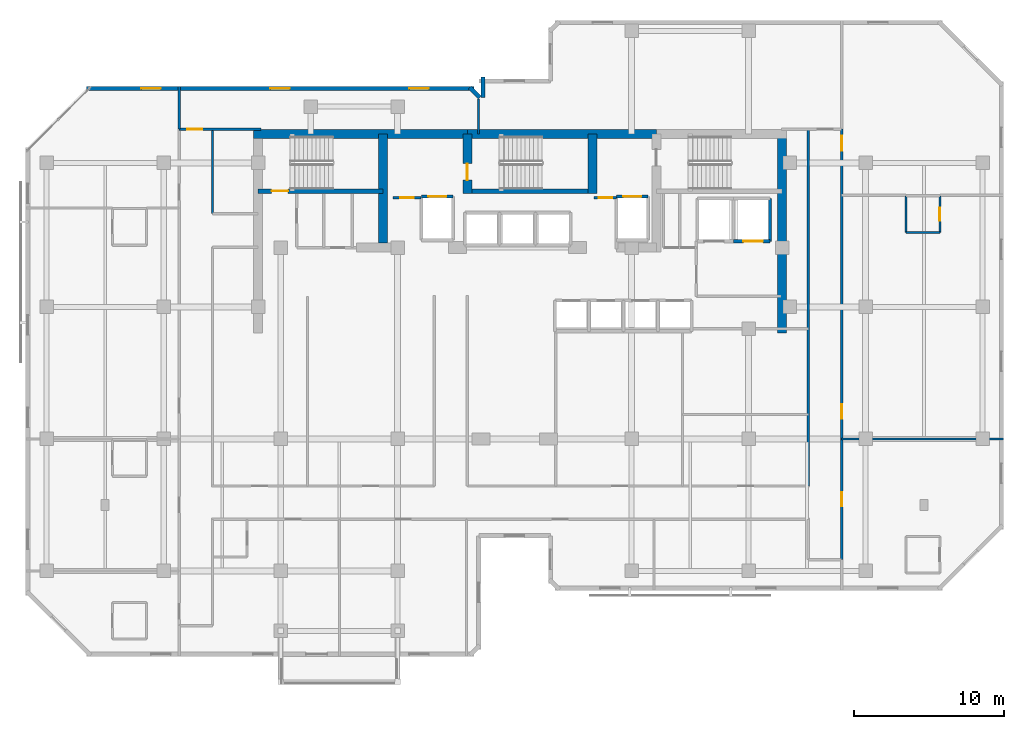
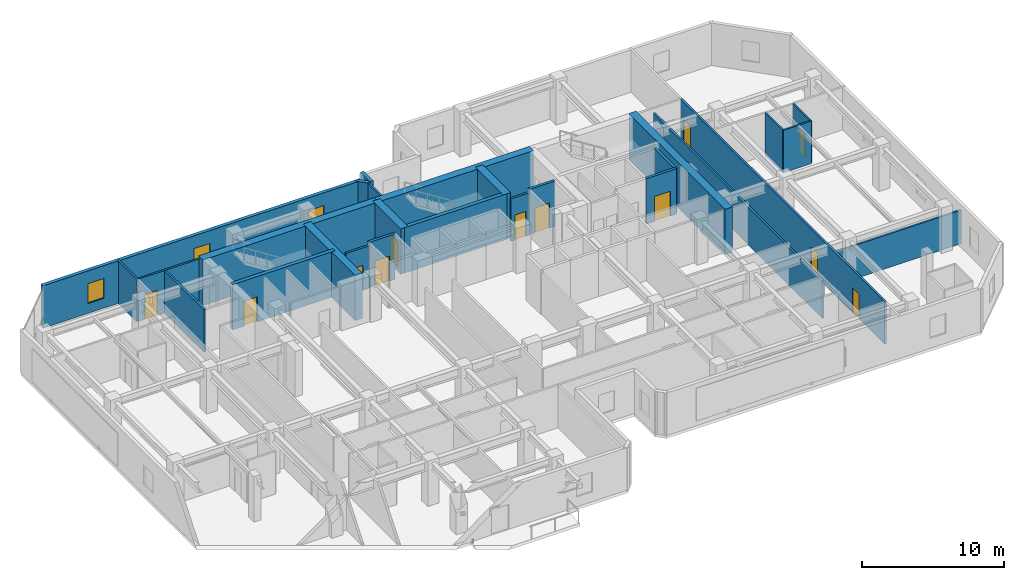
# One storey, part 7 of 11: 27 walls, 12 doors, 3 windows, 15 openings.
"""IFC4 building model written with IfcOpenShell, lengths in metres."""

from ifc_helpers import new_model, si_unit, direction, frame, frame_2d, origin, place, context, subcontext, project, spatial, rectangle, extrude, material, layer, layer_set, type_object, element, fill, save


model = new_model("IFC4")

# Units and contexts
model_context = context("Model", 3, precision=1e-05, world=origin(), true_north=direction((0.0, 1.0)))
body_context = subcontext(model_context, "Body", "Model", "MODEL_VIEW")
ifc_project = project(units=[si_unit("LENGTHUNIT", "METRE"), si_unit("AREAUNIT", "SQUARE_METRE"), si_unit("VOLUMEUNIT", "CUBIC_METRE"), si_unit("PLANEANGLEUNIT", "RADIAN"), si_unit("MASSUNIT", "GRAM", prefix="KILO")], contexts=[model_context])

# Site, building, storey
site_placement = place(None, origin())
site = spatial("IfcSite", under=ifc_project, at=site_placement, CompositionType="ELEMENT")
building_placement = place(site_placement, origin())
building = spatial("IfcBuilding", under=site, at=building_placement, Name="Kestravale Grand Hotel", CompositionType="ELEMENT")
storey_placement = place(building_placement, frame((0.0, 0.0, 204.60009765625)))
storey = spatial("IfcBuildingStorey", under=building, at=storey_placement, Name="L51", CompositionType="ELEMENT", Elevation=204.60009765625)

# Walls
ifc_material_1 = material(Name="Concrete f'c 50 MPa", Category="concrete")
ifc_layer_1 = layer(ifc_material_1, 0.60009765625)
ifc_layer_set_1 = layer_set([ifc_layer_1], Name="EW-CORE-600")
wall_type_1 = type_object("IfcWallType", Name="EW-CORE-600", PredefinedType="SHEAR", material=ifc_layer_set_1)
wall_1_placement = place(storey_placement, frame((21.60009765625, 40.320068359375, 0.0), z_axis=(0.0, 0.0, 1.0), x_axis=(1.0, 0.0, 0.0)))
element("IfcWall", 1, at=wall_1_placement, inside=storey, type_object=wall_type_1, Name="L51 core shear wall N1", PredefinedType="SHEAR", context=body_context, shape_type="SweptSolid", body=[
    extrude(rectangle(XDim=14.25, YDim=0.60009765625, at=frame_2d((7.125, 0.0))), origin(), (0.0, 0.0, 1.0), 3.89990234375),
])
wall_2_placement = place(storey_placement, frame((35.85009765625, 40.320068359375, 0.0), z_axis=(0.0, 0.0, 1.0), x_axis=(1.0, 0.0, 0.0)))
element("IfcWall", 2, at=wall_2_placement, inside=storey, type_object=wall_type_1, Name="L51 core shear wall N2", PredefinedType="SHEAR", context=body_context, shape_type="SweptSolid", body=[
    extrude(rectangle(XDim=12.599853515625, YDim=0.60009765625, at=frame_2d((6.2998046875, 0.0))), origin(), (0.0, 0.0, 1.0), 3.89990234375),
])
wall_3_placement = place(storey_placement, frame((56.820068359375, 27.050048828125, 0.0), z_axis=(0.0, 0.0, 1.0), x_axis=(0.0, 1.0, 0.0)))
element("IfcWall", 3, at=wall_3_placement, inside=storey, type_object=wall_type_1, Name="L51 core shear wall E1", PredefinedType="SHEAR", context=body_context, shape_type="SweptSolid", body=[
    extrude(rectangle(XDim=13.570068359375, YDim=0.60009765625, at=frame_2d((6.78515625, 0.0))), origin(), (0.0, 0.0, 1.0), 3.89990234375),
])
wall_4_placement = place(storey_placement, frame((30.219970703125, 33.050048828125, 0.0), z_axis=(0.0, 0.0, 1.0), x_axis=(0.0, 1.0, 0.0)))
element("IfcWall", 4, at=wall_4_placement, inside=storey, type_object=wall_type_1, Name="L51 core shear wall X1", PredefinedType="SHEAR", context=body_context, shape_type="SweptSolid", body=[
    extrude(rectangle(XDim=7.27001953125, YDim=0.60009765625, at=frame_2d((3.635009765625, 0.0))), origin(), (0.0, 0.0, 1.0), 3.89990234375),
])

# Wall, opening, door
wall_5_placement = place(storey_placement, frame((35.85009765625, 36.3701171875, 0.0), z_axis=(0.0, 0.0, 1.0), x_axis=(0.0, 1.0, 0.0)))
wall_5 = element("IfcWall", 5, at=wall_5_placement, inside=storey, type_object=wall_type_1, Name="L51 core shear wall X2", PredefinedType="SHEAR", context=body_context, shape_type="SweptSolid", body=[
    extrude(rectangle(XDim=3.949951171875, YDim=0.60009765625, at=frame_2d((1.97509765625, 0.0))), origin(), (0.0, 0.0, 1.0), 3.89990234375),
])
opening_1_placement = place(wall_5_placement, frame((0.8798828125, 0.0, 0.0)))
opening_1 = element("IfcOpeningElement", 6, at=opening_1_placement, cuts=wall_5, Name="Opening D-ST-1100", PredefinedType="OPENING", context=body_context, shape_type="SweptSolid", body=[
    extrude(rectangle(XDim=1.10009765625, YDim=2.14990234375, at=frame_2d((0.550048828125, 1.074951171875))), frame((0.0, 0.31005859375, 0.0), z_axis=(0.0, -1.0, 0.0), x_axis=(1.0, 0.0, 0.0)), (0.0, 0.0, 1.0), 0.6201171875),
])
ifc_material_2 = material(Name="Galvanised 90-minute fire-rated steel stair door", Category="steel")
door_type_1 = type_object("IfcDoorType", Name="D-ST-1100", OperationType="NOTDEFINED", PredefinedType="DOOR", material=ifc_material_2)
door_1_placement = place(opening_1_placement, origin())
door_1 = element("IfcDoor", 7, at=door_1_placement, inside=storey, type_object=door_type_1, Name="L51 Stair ST-2 FSAE fire door", OperationType="SINGLE_SWING_RIGHT", OverallHeight=2.14990234375, OverallWidth=1.10009765625, PredefinedType="DOOR", context=body_context, shape_type="SweptSolid", body=[
    extrude(rectangle(XDim=1.10009765625, YDim=2.14990234375, at=frame_2d((0.550048828125, 1.074951171875))), frame((0.0, 0.02490234375, 0.0), z_axis=(0.0, -1.0, 0.0), x_axis=(1.0, 0.0, 0.0)), (0.0, 0.0, 1.0), 0.050048828125),
])
fill(opening_1, door_1)

# Walls
wall_6_placement = place(storey_placement, frame((44.179931640625, 36.3701171875, 0.0), z_axis=(0.0, 0.0, 1.0), x_axis=(0.0, 1.0, 0.0)))
element("IfcWall", 8, at=wall_6_placement, inside=storey, type_object=wall_type_1, Name="L51 core shear wall X3", PredefinedType="SHEAR", context=body_context, shape_type="SweptSolid", body=[
    extrude(rectangle(XDim=3.949951171875, YDim=0.60009765625, at=frame_2d((1.97509765625, 0.0))), origin(), (0.0, 0.0, 1.0), 3.89990234375),
])
ifc_material_3 = material(Name="Precast concrete f'c 45 MPa", Category="concrete")
ifc_layer_2 = layer(ifc_material_3, 0.280029296875)
ifc_layer_set_2 = layer_set([ifc_layer_2], Name="EW-PREC-280")
wall_type_2 = type_object("IfcWallType", Name="EW-PREC-280", PredefinedType="SOLIDWALL", material=ifc_layer_set_2)
wall_7_placement = place(storey_placement, frame((36.889892578125, 44.139892578125, 0.0), z_axis=(0.0, 0.0, 1.0), x_axis=(0.0, -1.0, 0.0)))
element("IfcWall", 9, at=wall_7_placement, inside=storey, type_object=wall_type_2, Name="L51 fluted precast facade wall 15", PredefinedType="SOLIDWALL", context=body_context, shape_type="SweptSolid", body=[
    extrude(rectangle(XDim=1.3798828125, YDim=0.280029296875, at=frame_2d((0.68994140625, 0.0))), origin(), (0.0, 0.0, 1.0), 3.64990234375),
])
wall_8_placement = place(storey_placement, frame((36.67919921875, 42.772705078125, 0.0), z_axis=(0.0, 0.0, 1.0), x_axis=(-0.707106781187, 0.707106781187, 0.0)))
element("IfcWall", 10, at=wall_8_placement, inside=storey, type_object=wall_type_2, Name="L51 fluted precast facade wall 16", PredefinedType="SOLIDWALL", context=body_context, shape_type="SweptSolid", body=[
    extrude(rectangle(XDim=0.928466796875, YDim=0.280029296875, at=frame_2d((0.46435546875, 0.0))), origin(), (0.0, 0.0, 1.0), 3.64990234375),
])

# Wall, openings, windows
wall_9_placement = place(storey_placement, frame((36.2900390625, 43.360107421875, 0.0), z_axis=(0.0, 0.0, 1.0), x_axis=(-1.0, 0.0, 0.0)))
wall_9 = element("IfcWall", 11, at=wall_9_placement, inside=storey, type_object=wall_type_2, Name="L51 fluted precast facade wall 17", PredefinedType="SOLIDWALL", context=body_context, shape_type="SweptSolid", body=[
    extrude(rectangle(XDim=25.830078125, YDim=0.280029296875, at=frame_2d((12.9150390625, 0.0))), origin(), (0.0, 0.0, 1.0), 3.64990234375),
])
opening_2_placement = place(wall_9_placement, frame((3.0048828125, 0.0, 0.85009765625)))
opening_2 = element("IfcOpeningElement", 12, at=opening_2_placement, cuts=wall_9, Name="Opening W-GUEST-1300", PredefinedType="OPENING", context=body_context, shape_type="SweptSolid", body=[
    extrude(rectangle(XDim=1.300048828125, YDim=1.699951171875, at=frame_2d((0.64990234375, 0.85009765625))), frame((0.0, 0.14990234375, 0.0), z_axis=(0.0, -1.0, 0.0), x_axis=(1.0, 0.0, 0.0)), (0.0, 0.0, 1.0), 0.300048828125),
])
opening_3_placement = place(wall_9_placement, frame((12.264892578125, 0.0, 0.85009765625)))
opening_3 = element("IfcOpeningElement", 13, at=opening_3_placement, cuts=wall_9, Name="Opening W-GUEST-1300", PredefinedType="OPENING", context=body_context, shape_type="SweptSolid", body=[
    extrude(rectangle(XDim=1.300048828125, YDim=1.699951171875, at=frame_2d((0.64990234375, 0.85009765625))), frame((0.0, 0.14990234375, 0.0), z_axis=(0.0, -1.0, 0.0), x_axis=(1.0, 0.0, 0.0)), (0.0, 0.0, 1.0), 0.300048828125),
])
opening_4_placement = place(wall_9_placement, frame((20.875, 0.0, 0.85009765625)))
opening_4 = element("IfcOpeningElement", 14, at=opening_4_placement, cuts=wall_9, Name="Opening W-GUEST-1300", PredefinedType="OPENING", context=body_context, shape_type="SweptSolid", body=[
    extrude(rectangle(XDim=1.300048828125, YDim=1.699951171875, at=frame_2d((0.64990234375, 0.85009765625))), frame((0.0, 0.14990234375, 0.0), z_axis=(0.0, -1.0, 0.0), x_axis=(1.0, 0.0, 0.0)), (0.0, 0.0, 1.0), 0.300048828125),
])
ifc_material_4 = material(Name="Insulated low-E double glazing in aluminium frame", Category="aluminium")
window_type = type_object("IfcWindowType", Name="W-GUEST-1300", PartitioningType="SINGLE_PANEL", PredefinedType="WINDOW", material=ifc_material_4)
window_1_placement = place(opening_2_placement, origin())
window_1 = element("IfcWindow", 15, at=window_1_placement, inside=storey, type_object=window_type, Name="L51 exterior window 17.1", OverallHeight=1.699951171875, OverallWidth=1.300048828125, PartitioningType="SINGLE_PANEL", PredefinedType="WINDOW", context=body_context, shape_type="SweptSolid", body=[
    extrude(rectangle(XDim=1.300048828125, YDim=1.699951171875, at=frame_2d((0.64990234375, 0.85009765625))), frame((0.0, 0.030029296875, 0.0), z_axis=(0.0, -1.0, 0.0), x_axis=(1.0, 0.0, 0.0)), (0.0, 0.0, 1.0), 0.06005859375),
])
fill(opening_2, window_1)
window_2_placement = place(opening_3_placement, origin())
window_2 = element("IfcWindow", 16, at=window_2_placement, inside=storey, type_object=window_type, Name="L51 exterior window 17.2", OverallHeight=1.699951171875, OverallWidth=1.300048828125, PartitioningType="SINGLE_PANEL", PredefinedType="WINDOW", context=body_context, shape_type="SweptSolid", body=[
    extrude(rectangle(XDim=1.300048828125, YDim=1.699951171875, at=frame_2d((0.64990234375, 0.85009765625))), frame((0.0, 0.030029296875, 0.0), z_axis=(0.0, -1.0, 0.0), x_axis=(1.0, 0.0, 0.0)), (0.0, 0.0, 1.0), 0.06005859375),
])
fill(opening_3, window_2)
window_3_placement = place(opening_4_placement, origin())
window_3 = element("IfcWindow", 17, at=window_3_placement, inside=storey, type_object=window_type, Name="L51 exterior window 17.3", OverallHeight=1.699951171875, OverallWidth=1.300048828125, PartitioningType="SINGLE_PANEL", PredefinedType="WINDOW", context=body_context, shape_type="SweptSolid", body=[
    extrude(rectangle(XDim=1.300048828125, YDim=1.699951171875, at=frame_2d((0.64990234375, 0.85009765625))), frame((0.0, 0.030029296875, 0.0), z_axis=(0.0, -1.0, 0.0), x_axis=(1.0, 0.0, 0.0)), (0.0, 0.0, 1.0), 0.06005859375),
])
fill(opening_4, window_3)

# Wall, opening, door
ifc_material_5 = material(Name="Concrete f'c 45 MPa", Category="concrete")
ifc_layer_3 = layer(ifc_material_5, 0.300048828125)
ifc_layer_set_3 = layer_set([ifc_layer_3], Name="EW-STAIR-300")
wall_type_3 = type_object("IfcWallType", Name="EW-STAIR-300", PredefinedType="SHEAR", material=ifc_layer_set_3)
wall_10_placement = place(storey_placement, frame((21.89990234375, 36.52001953125, 0.0), z_axis=(0.0, 0.0, 1.0), x_axis=(1.0, 0.0, 0.0)))
wall_10 = element("IfcWall", 18, at=wall_10_placement, inside=storey, type_object=wall_type_3, Name="L51 stair enclosure shear wall SST1", PredefinedType="SHEAR", context=body_context, shape_type="SweptSolid", body=[
    extrude(rectangle(XDim=8.320068359375, YDim=0.300048828125, at=frame_2d((4.16015625, 0.0))), origin(), (0.0, 0.0, 1.0), 3.89990234375),
])
opening_5_placement = place(wall_10_placement, frame((0.89990234375, 0.0, 0.0)))
opening_5 = element("IfcOpeningElement", 19, at=opening_5_placement, cuts=wall_10, Name="Opening D-ST-1100", PredefinedType="OPENING", context=body_context, shape_type="SweptSolid", body=[
    extrude(rectangle(XDim=1.10009765625, YDim=2.14990234375, at=frame_2d((0.550048828125, 1.074951171875))), frame((0.0, 0.159912109375, 0.0), z_axis=(0.0, -1.0, 0.0), x_axis=(1.0, 0.0, 0.0)), (0.0, 0.0, 1.0), 0.320068359375),
])
door_2_placement = place(opening_5_placement, origin())
door_2 = element("IfcDoor", 20, at=door_2_placement, inside=storey, type_object=door_type_1, Name="L51 Stair ST-1 fire door", OperationType="SINGLE_SWING_RIGHT", OverallHeight=2.14990234375, OverallWidth=1.10009765625, PredefinedType="DOOR", context=body_context, shape_type="SweptSolid", body=[
    extrude(rectangle(XDim=1.10009765625, YDim=2.14990234375, at=frame_2d((0.550048828125, 1.074951171875))), frame((0.0, 0.02490234375, 0.0), z_axis=(0.0, -1.0, 0.0), x_axis=(1.0, 0.0, 0.0)), (0.0, 0.0, 1.0), 0.050048828125),
])
fill(opening_5, door_2)

# Walls
wall_11_placement = place(storey_placement, frame((35.85009765625, 36.52001953125, 0.0), z_axis=(0.0, 0.0, 1.0), x_axis=(1.0, 0.0, 0.0)))
element("IfcWall", 21, at=wall_11_placement, inside=storey, type_object=wall_type_3, Name="L51 stair enclosure shear wall SST2", PredefinedType="SHEAR", context=body_context, shape_type="SweptSolid", body=[
    extrude(rectangle(XDim=8.329833984375, YDim=0.300048828125, at=frame_2d((4.1650390625, 0.0))), origin(), (0.0, 0.0, 1.0), 3.89990234375),
])
ifc_material_6 = material(Name="Acoustic fire-rated gypsum board partition", Category="other")
ifc_layer_4 = layer(ifc_material_6, 0.159912109375)
ifc_layer_set_4 = layer_set([ifc_layer_4], Name="IW-CORR-160")
wall_type_4 = type_object("IfcWallType", Name="IW-CORR-160", PredefinedType="PARTITIONING", material=ifc_layer_set_4)
wall_12_placement = place(storey_placement, frame((18.860107421875, 35.02001953125, 0.0), z_axis=(0.0, 0.0, 1.0), x_axis=(0.0, 1.0, 0.0)))
element("IfcWall", 22, at=wall_12_placement, inside=storey, type_object=wall_type_4, Name="W-L51-SW-EN", PredefinedType="PARTITIONING", context=body_context, shape_type="SweptSolid", body=[
    extrude(rectangle(XDim=5.6298828125, YDim=0.159912109375, at=frame_2d((2.81494140625, 0.0))), origin(), (0.0, 0.0, 1.0), 3.64990234375),
])

# Wall, openings, doors
wall_13_placement = place(storey_placement, frame((60.81005859375, 11.949951171875, 0.0), z_axis=(0.0, 0.0, 1.0), x_axis=(0.0, 1.0, 0.0)))
wall_13 = element("IfcWall", 23, at=wall_13_placement, inside=storey, type_object=wall_type_4, Name="W-L51-SE-E", PredefinedType="PARTITIONING", context=body_context, shape_type="SweptSolid", body=[
    extrude(rectangle(XDim=28.699951171875, YDim=0.159912109375, at=frame_2d((14.35009765625, 0.0))), origin(), (0.0, 0.0, 1.0), 3.64990234375),
])
opening_6_placement = place(wall_13_placement, frame((3.550048828125, 0.0, 0.0)))
opening_6 = element("IfcOpeningElement", 24, at=opening_6_placement, cuts=wall_13, Name="Opening D-GUEST-950", PredefinedType="OPENING", context=body_context, shape_type="SweptSolid", body=[
    extrude(rectangle(XDim=0.949951171875, YDim=2.10009765625, at=frame_2d((0.47509765625, 1.050048828125))), frame((0.0, 0.08984375, 0.0), z_axis=(0.0, -1.0, 0.0), x_axis=(1.0, 0.0, 0.0)), (0.0, 0.0, 1.0), 0.179931640625),
])
opening_7_placement = place(wall_13_placement, frame((9.40869140625, 0.0, 0.0)))
opening_7 = element("IfcOpeningElement", 25, at=opening_7_placement, cuts=wall_13, Name="Opening D-GUEST-950", PredefinedType="OPENING", context=body_context, shape_type="SweptSolid", body=[
    extrude(rectangle(XDim=0.949951171875, YDim=2.10009765625, at=frame_2d((0.47509765625, 1.050048828125))), frame((0.0, 0.08984375, 0.0), z_axis=(0.0, -1.0, 0.0), x_axis=(1.0, 0.0, 0.0)), (0.0, 0.0, 1.0), 0.179931640625),
])
opening_8_placement = place(wall_13_placement, frame((27.260009765625, 0.0, 0.0)))
opening_8 = element("IfcOpeningElement", 26, at=opening_8_placement, cuts=wall_13, Name="Opening D-GUEST-1000", PredefinedType="OPENING", context=body_context, shape_type="SweptSolid", body=[
    extrude(rectangle(XDim=1.0, YDim=2.14990234375, at=frame_2d((0.5, 1.074951171875))), frame((0.0, 0.08984375, 0.0), z_axis=(0.0, -1.0, 0.0), x_axis=(1.0, 0.0, 0.0)), (0.0, 0.0, 1.0), 0.179931640625),
])
ifc_material_7 = material(Name="Accessible walnut veneer hotel entrance fire door", Category="wood")
door_type_2 = type_object("IfcDoorType", Name="D-GUEST-1000", OperationType="NOTDEFINED", PredefinedType="DOOR", material=ifc_material_7)
door_3_placement = place(opening_8_placement, origin())
door_3 = element("IfcDoor", 27, at=door_3_placement, inside=storey, type_object=door_type_2, Name="D-L51-AMEW", OperationType="SINGLE_SWING_RIGHT", OverallHeight=2.14990234375, OverallWidth=1.0, PredefinedType="DOOR", context=body_context, shape_type="SweptSolid", body=[
    extrude(rectangle(XDim=1.0, YDim=2.14990234375, at=frame_2d((0.5, 1.074951171875))), frame((0.0, 0.02490234375, 0.0), z_axis=(0.0, -1.0, 0.0), x_axis=(1.0, 0.0, 0.0)), (0.0, 0.0, 1.0), 0.050048828125),
])
fill(opening_8, door_3)
ifc_material_8 = material(Name="Walnut veneer hotel guestroom entrance fire door", Category="wood")
door_type_3 = type_object("IfcDoorType", Name="D-GUEST-950", OperationType="NOTDEFINED", PredefinedType="DOOR", material=ifc_material_8)
door_4_placement = place(opening_6_placement, origin())
door_4 = element("IfcDoor", 28, at=door_4_placement, inside=storey, type_object=door_type_3, Name="D-L51-U05-ENT", OperationType="SINGLE_SWING_LEFT", OverallHeight=2.10009765625, OverallWidth=0.949951171875, PredefinedType="DOOR", context=body_context, shape_type="SweptSolid", body=[
    extrude(rectangle(XDim=0.949951171875, YDim=2.10009765625, at=frame_2d((0.47509765625, 1.050048828125))), frame((0.0, 0.02490234375, 0.0), z_axis=(0.0, -1.0, 0.0), x_axis=(1.0, 0.0, 0.0)), (0.0, 0.0, 1.0), 0.050048828125),
])
fill(opening_6, door_4)
door_5_placement = place(opening_7_placement, origin())
door_5 = element("IfcDoor", 29, at=door_5_placement, inside=storey, type_object=door_type_3, Name="D-L51-U06-ENT", OperationType="SINGLE_SWING_LEFT", OverallHeight=2.10009765625, OverallWidth=0.949951171875, PredefinedType="DOOR", context=body_context, shape_type="SweptSolid", body=[
    extrude(rectangle(XDim=0.949951171875, YDim=2.10009765625, at=frame_2d((0.47509765625, 1.050048828125))), frame((0.0, 0.02490234375, 0.0), z_axis=(0.0, -1.0, 0.0), x_axis=(1.0, 0.0, 0.0)), (0.0, 0.0, 1.0), 0.050048828125),
])
fill(opening_7, door_5)

# Wall
wall_14_placement = place(storey_placement, frame((58.590087890625, 16.860107421875, 0.0), z_axis=(0.0, 0.0, 1.0), x_axis=(0.0, 1.0, 0.0)))
element("IfcWall", 30, at=wall_14_placement, inside=storey, type_object=wall_type_4, Name="W-L51-SE-WU", PredefinedType="PARTITIONING", context=body_context, shape_type="SweptSolid", body=[
    extrude(rectangle(XDim=23.789794921875, YDim=0.159912109375, at=frame_2d((11.89501953125, 0.0))), origin(), (0.0, 0.0, 1.0), 3.245849609375),
])

# Wall, opening, door
ifc_material_9 = material(Name="Fire-rated gypsum board on steel studs with mineral wool", Category="steel")
ifc_layer_5 = layer(ifc_material_9, 0.179931640625)
ifc_layer_set_5 = layer_set([ifc_layer_5], Name="IW-FSAE-180")
wall_type_5 = type_object("IfcWallType", Name="IW-FSAE-180", PredefinedType="PARTITIONING", material=ifc_layer_set_5)
wall_15_placement = place(storey_placement, frame((30.89990234375, 36.080078125, 0.0), z_axis=(0.0, 0.0, 1.0), x_axis=(1.0, 0.0, 0.0)))
wall_15 = element("IfcWall", 31, at=wall_15_placement, inside=storey, type_object=wall_type_5, Name="L51 FSAE Lobby 1 smoke barrier", PredefinedType="PARTITIONING", context=body_context, shape_type="SweptSolid", body=[
    extrude(rectangle(XDim=1.85009765625, YDim=0.179931640625, at=frame_2d((0.925048828125, 0.0))), origin(), (0.0, 0.0, 1.0), 3.64990234375),
])
opening_9_placement = place(wall_15_placement, frame((0.47998046875, 0.0, 0.0)))
opening_9 = element("IfcOpeningElement", 32, at=opening_9_placement, cuts=wall_15, Name="Opening D-FSAE-1000", PredefinedType="OPENING", context=body_context, shape_type="SweptSolid", body=[
    extrude(rectangle(XDim=0.89990234375, YDim=2.14990234375, at=frame_2d((0.449951171875, 1.074951171875))), frame((0.0, 0.099853515625, 0.0), z_axis=(0.0, -1.0, 0.0), x_axis=(1.0, 0.0, 0.0)), (0.0, 0.0, 1.0), 0.199951171875),
])
ifc_material_10 = material(Name="Smoke-gasketed FSAE lobby fire door", Category="steel")
door_type_4 = type_object("IfcDoorType", Name="D-FSAE-1000", OperationType="NOTDEFINED", PredefinedType="DOOR", material=ifc_material_10)
door_6_placement = place(opening_9_placement, origin())
door_6 = element("IfcDoor", 33, at=door_6_placement, inside=storey, type_object=door_type_4, Name="L51 FSAE Lobby 1 fire door", OperationType="SINGLE_SWING_RIGHT", OverallHeight=2.14990234375, OverallWidth=0.89990234375, PredefinedType="DOOR", context=body_context, shape_type="SweptSolid", body=[
    extrude(rectangle(XDim=0.89990234375, YDim=2.14990234375, at=frame_2d((0.449951171875, 1.074951171875))), frame((0.0, 0.02490234375, 0.0), z_axis=(0.0, -1.0, 0.0), x_axis=(1.0, 0.0, 0.0)), (0.0, 0.0, 1.0), 0.050048828125),
])
fill(opening_9, door_6)

wall_16_placement = place(storey_placement, frame((44.300048828125, 36.080078125, 0.0), z_axis=(0.0, 0.0, 1.0), x_axis=(1.0, 0.0, 0.0)))
wall_16 = element("IfcWall", 34, at=wall_16_placement, inside=storey, type_object=wall_type_5, Name="L51 FSAE Lobby 2 smoke barrier", PredefinedType="PARTITIONING", context=body_context, shape_type="SweptSolid", body=[
    extrude(rectangle(XDim=1.5, YDim=0.179931640625, at=frame_2d((0.75, 0.0))), origin(), (0.0, 0.0, 1.0), 3.64990234375),
])
opening_10_placement = place(wall_16_placement, frame((0.300048828125, 0.0, 0.0)))
opening_10 = element("IfcOpeningElement", 35, at=opening_10_placement, cuts=wall_16, Name="Opening D-FSAE-1000", PredefinedType="OPENING", context=body_context, shape_type="SweptSolid", body=[
    extrude(rectangle(XDim=0.89990234375, YDim=2.14990234375, at=frame_2d((0.449951171875, 1.074951171875))), frame((0.0, 0.099853515625, 0.0), z_axis=(0.0, -1.0, 0.0), x_axis=(1.0, 0.0, 0.0)), (0.0, 0.0, 1.0), 0.199951171875),
])
door_7_placement = place(opening_10_placement, origin())
door_7 = element("IfcDoor", 36, at=door_7_placement, inside=storey, type_object=door_type_4, Name="L51 FSAE Lobby 2 fire door", OperationType="SINGLE_SWING_LEFT", OverallHeight=2.14990234375, OverallWidth=0.89990234375, PredefinedType="DOOR", context=body_context, shape_type="SweptSolid", body=[
    extrude(rectangle(XDim=0.89990234375, YDim=2.14990234375, at=frame_2d((0.449951171875, 1.074951171875))), frame((0.0, 0.02490234375, 0.0), z_axis=(0.0, -1.0, 0.0), x_axis=(1.0, 0.0, 0.0)), (0.0, 0.0, 1.0), 0.050048828125),
])
fill(opening_10, door_7)

# Wall
ifc_material_11 = material(Name="Moisture-resistant tile-backer plumbing chase wall", Category="other")
ifc_layer_6 = layer(ifc_material_11, 0.139892578125)
ifc_layer_set_6 = layer_set([ifc_layer_6], Name="IW-PLB-140")
wall_type_6 = type_object("IfcWallType", Name="IW-PLB-140", PredefinedType="PLUMBINGWALL", material=ifc_layer_set_6)
wall_17_placement = place(storey_placement, frame((65.10009765625, 33.760009765625, 0.0), z_axis=(0.0, 0.0, 1.0), x_axis=(0.0, 1.0, 0.0)))
element("IfcWall", 37, at=wall_17_placement, inside=storey, type_object=wall_type_6, Name="W-L51-U06-BW", PredefinedType="PLUMBINGWALL", context=body_context, shape_type="SweptSolid", body=[
    extrude(rectangle(XDim=2.449951171875, YDim=0.139892578125, at=frame_2d((1.22509765625, 0.0))), origin(), (0.0, 0.0, 1.0), 3.64990234375),
])

# Wall, opening, door
wall_18_placement = place(storey_placement, frame((67.35009765625, 33.760009765625, 0.0), z_axis=(0.0, 0.0, 1.0), x_axis=(0.0, 1.0, 0.0)))
wall_18 = element("IfcWall", 38, at=wall_18_placement, inside=storey, type_object=wall_type_6, Name="W-L51-U06-BE", PredefinedType="PLUMBINGWALL", context=body_context, shape_type="SweptSolid", body=[
    extrude(rectangle(XDim=2.449951171875, YDim=0.139892578125, at=frame_2d((1.22509765625, 0.0))), origin(), (0.0, 0.0, 1.0), 3.64990234375),
])
opening_11_placement = place(wall_18_placement, frame((0.784912109375, 0.0, 0.0)))
opening_11 = element("IfcOpeningElement", 39, at=opening_11_placement, cuts=wall_18, Name="Opening D-BATH-880", PredefinedType="OPENING", context=body_context, shape_type="SweptSolid", body=[
    extrude(rectangle(XDim=0.8798828125, YDim=2.050048828125, at=frame_2d((0.43994140625, 1.02490234375))), frame((0.0, 0.079833984375, 0.0), z_axis=(0.0, -1.0, 0.0), x_axis=(1.0, 0.0, 0.0)), (0.0, 0.0, 1.0), 0.159912109375),
])
ifc_material_12 = material(Name="Moisture-sealed walnut en-suite bathroom door", Category="wood")
door_type_5 = type_object("IfcDoorType", Name="D-BATH-880", OperationType="NOTDEFINED", PredefinedType="DOOR", material=ifc_material_12)
door_8_placement = place(opening_11_placement, origin())
door_8 = element("IfcDoor", 40, at=door_8_placement, inside=storey, type_object=door_type_5, Name="D-L51-U06-BATH", OperationType="SINGLE_SWING_RIGHT", OverallHeight=2.050048828125, OverallWidth=0.8798828125, PredefinedType="DOOR", context=body_context, shape_type="SweptSolid", body=[
    extrude(rectangle(XDim=0.8798828125, YDim=2.050048828125, at=frame_2d((0.43994140625, 1.02490234375))), frame((0.0, 0.02490234375, 0.0), z_axis=(0.0, -1.0, 0.0), x_axis=(1.0, 0.0, 0.0)), (0.0, 0.0, 1.0), 0.050048828125),
])
fill(opening_11, door_8)

# Walls
wall_19_placement = place(storey_placement, frame((65.10009765625, 33.760009765625, 0.0), z_axis=(0.0, 0.0, 1.0), x_axis=(1.0, 0.0, 0.0)))
element("IfcWall", 41, at=wall_19_placement, inside=storey, type_object=wall_type_6, Name="W-L51-U06-BS", PredefinedType="PLUMBINGWALL", context=body_context, shape_type="SweptSolid", body=[
    extrude(rectangle(XDim=2.25, YDim=0.139892578125, at=frame_2d((1.125, 0.0))), origin(), (0.0, 0.0, 1.0), 3.64990234375),
])
ifc_material_13 = material(Name="Concrete f'c 45 MPa", Category="concrete")
ifc_layer_7 = layer(ifc_material_13, 0.199951171875)
ifc_layer_set_7 = layer_set([ifc_layer_7], Name="IW-SHAFT-200")
wall_type_7 = type_object("IfcWallType", Name="IW-SHAFT-200", PredefinedType="SHEAR", material=ifc_layer_set_7)
wall_20_placement = place(storey_placement, frame((56.02001953125, 33.169921875, 0.0), z_axis=(0.0, 0.0, 1.0), x_axis=(0.0, 1.0, 0.0)))
element("IfcWall", 42, at=wall_20_placement, inside=storey, type_object=wall_type_7, Name="L51 SL-2 east shaft wall", PredefinedType="SHEAR", context=body_context, shape_type="SweptSolid", body=[
    extrude(rectangle(XDim=2.860107421875, YDim=0.199951171875, at=frame_2d((1.43017578125, 0.0))), origin(), (0.0, 0.0, 1.0), 3.89990234375),
])

# Wall, opening, door
ifc_material_14 = material(Name="Concrete f'c 45 MPa", Category="concrete")
ifc_layer_8 = layer(ifc_material_14, 0.219970703125)
ifc_layer_set_8 = layer_set([ifc_layer_8], Name="IW-SHAFT-220")
wall_type_8 = type_object("IfcWallType", Name="IW-SHAFT-220", PredefinedType="SHEAR", material=ifc_layer_set_8)
wall_21_placement = place(storey_placement, frame((53.60009765625, 33.169921875, 0.0), z_axis=(0.0, 0.0, 1.0), x_axis=(1.0, 0.0, 0.0)))
wall_21 = element("IfcWall", 43, at=wall_21_placement, inside=storey, type_object=wall_type_8, Name="L51 SL-2 south shaft wall", PredefinedType="SHEAR", context=body_context, shape_type="SweptSolid", body=[
    extrude(rectangle(XDim=2.419921875, YDim=0.219970703125, at=frame_2d((1.2099609375, 0.0))), origin(), (0.0, 0.0, 1.0), 3.89990234375),
])
opening_12_placement = place(wall_21_placement, frame((0.64990234375, 0.0, 0.0)))
opening_12 = element("IfcOpeningElement", 44, at=opening_12_placement, cuts=wall_21, Name="Opening LD-SVC-1300", PredefinedType="OPENING", context=body_context, shape_type="SweptSolid", body=[
    extrude(rectangle(XDim=1.300048828125, YDim=2.14990234375, at=frame_2d((0.64990234375, 1.074951171875))), frame((0.0, 0.119873046875, 0.0), z_axis=(0.0, -1.0, 0.0), x_axis=(1.0, 0.0, 0.0)), (0.0, 0.0, 1.0), 0.239990234375),
])
ifc_material_15 = material(Name="Heavy-duty service sliding elevator landing door", Category="steel")
door_type_6 = type_object("IfcDoorType", Name="LD-SVC-1300", OperationType="NOTDEFINED", PredefinedType="DOOR", material=ifc_material_15)
door_9_placement = place(opening_12_placement, origin())
door_9 = element("IfcDoor", 45, at=door_9_placement, inside=storey, type_object=door_type_6, Name="L51 SL-2 elevator landing sliding door", OperationType="DOUBLE_DOOR_SLIDING", OverallHeight=2.14990234375, OverallWidth=1.300048828125, PredefinedType="DOOR", context=body_context, shape_type="SweptSolid", body=[
    extrude(rectangle(XDim=1.300048828125, YDim=2.14990234375, at=frame_2d((0.64990234375, 1.074951171875))), frame((0.0, 0.02490234375, 0.0), z_axis=(0.0, -1.0, 0.0), x_axis=(1.0, 0.0, 0.0)), (0.0, 0.0, 1.0), 0.050048828125),
])
fill(opening_12, door_9)

wall_22_placement = place(storey_placement, frame((32.804931640625, 36.155029296875, 0.0), z_axis=(0.0, 0.0, 1.0), x_axis=(1.0, 0.0, 0.0)))
wall_22 = element("IfcWall", 46, at=wall_22_placement, inside=storey, type_object=wall_type_8, Name="L51 FL-1 north shaft wall", PredefinedType="SHEAR", context=body_context, shape_type="SweptSolid", body=[
    extrude(rectangle(XDim=2.090087890625, YDim=0.219970703125, at=frame_2d((1.044921875, 0.0))), origin(), (0.0, 0.0, 1.0), 3.89990234375),
])
opening_13_placement = place(wall_22_placement, frame((0.445068359375, 0.0, 0.0)))
opening_13 = element("IfcOpeningElement", 47, at=opening_13_placement, cuts=wall_22, Name="Opening LD-FSAE-1200", PredefinedType="OPENING", context=body_context, shape_type="SweptSolid", body=[
    extrude(rectangle(XDim=1.199951171875, YDim=2.14990234375, at=frame_2d((0.60009765625, 1.074951171875))), frame((0.0, 0.119873046875, 0.0), z_axis=(0.0, -1.0, 0.0), x_axis=(1.0, 0.0, 0.0)), (0.0, 0.0, 1.0), 0.239990234375),
])
ifc_material_16 = material(Name="Stainless fire-service sliding elevator landing door", Category="steel")
door_type_7 = type_object("IfcDoorType", Name="LD-FSAE-1200", OperationType="NOTDEFINED", PredefinedType="DOOR", material=ifc_material_16)
door_10_placement = place(opening_13_placement, origin())
door_10 = element("IfcDoor", 48, at=door_10_placement, inside=storey, type_object=door_type_7, Name="L51 FL-1 elevator landing sliding door", OperationType="DOUBLE_DOOR_SLIDING", OverallHeight=2.14990234375, OverallWidth=1.199951171875, PredefinedType="DOOR", context=body_context, shape_type="SweptSolid", body=[
    extrude(rectangle(XDim=1.199951171875, YDim=2.14990234375, at=frame_2d((0.60009765625, 1.074951171875))), frame((0.0, 0.02490234375, 0.0), z_axis=(0.0, -1.0, 0.0), x_axis=(1.0, 0.0, 0.0)), (0.0, 0.0, 1.0), 0.050048828125),
])
fill(opening_13, door_10)

wall_23_placement = place(storey_placement, frame((45.804931640625, 36.155029296875, 0.0), z_axis=(0.0, 0.0, 1.0), x_axis=(1.0, 0.0, 0.0)))
wall_23 = element("IfcWall", 49, at=wall_23_placement, inside=storey, type_object=wall_type_8, Name="L51 FL-2 north shaft wall", PredefinedType="SHEAR", context=body_context, shape_type="SweptSolid", body=[
    extrude(rectangle(XDim=2.090087890625, YDim=0.219970703125, at=frame_2d((1.044921875, 0.0))), origin(), (0.0, 0.0, 1.0), 3.89990234375),
])
opening_14_placement = place(wall_23_placement, frame((0.445068359375, 0.0, 0.0)))
opening_14 = element("IfcOpeningElement", 50, at=opening_14_placement, cuts=wall_23, Name="Opening LD-FSAE-1200", PredefinedType="OPENING", context=body_context, shape_type="SweptSolid", body=[
    extrude(rectangle(XDim=1.199951171875, YDim=2.14990234375, at=frame_2d((0.60009765625, 1.074951171875))), frame((0.0, 0.119873046875, 0.0), z_axis=(0.0, -1.0, 0.0), x_axis=(1.0, 0.0, 0.0)), (0.0, 0.0, 1.0), 0.239990234375),
])
door_11_placement = place(opening_14_placement, origin())
door_11 = element("IfcDoor", 51, at=door_11_placement, inside=storey, type_object=door_type_7, Name="L51 FL-2 elevator landing sliding door", OperationType="DOUBLE_DOOR_SLIDING", OverallHeight=2.14990234375, OverallWidth=1.199951171875, PredefinedType="DOOR", context=body_context, shape_type="SweptSolid", body=[
    extrude(rectangle(XDim=1.199951171875, YDim=2.14990234375, at=frame_2d((0.60009765625, 1.074951171875))), frame((0.0, 0.02490234375, 0.0), z_axis=(0.0, -1.0, 0.0), x_axis=(1.0, 0.0, 0.0)), (0.0, 0.0, 1.0), 0.050048828125),
])
fill(opening_14, door_11)

ifc_material_17 = material(Name="Double-stud STC 52 acoustic demising partition", Category="other")
ifc_layer_9 = layer(ifc_material_17, 0.14990234375)
ifc_layer_set_9 = layer_set([ifc_layer_9], Name="IW-UNIT-150")
wall_type_9 = type_object("IfcWallType", Name="IW-UNIT-150", PredefinedType="PARTITIONING", material=ifc_layer_set_9)
wall_24_placement = place(storey_placement, frame((16.639892578125, 40.64990234375, 0.0), z_axis=(0.0, 0.0, 1.0), x_axis=(1.0, 0.0, 0.0)))
wall_24 = element("IfcWall", 52, at=wall_24_placement, inside=storey, type_object=wall_type_9, Name="W-L51-SW-N", PredefinedType="PARTITIONING", context=body_context, shape_type="SweptSolid", body=[
    extrude(rectangle(XDim=5.460205078125, YDim=0.14990234375, at=frame_2d((2.72998046875, 0.0))), origin(), (0.0, 0.0, 1.0), 3.64990234375),
])
opening_15_placement = place(wall_24_placement, frame((0.550048828125, 0.0, 0.0)))
opening_15 = element("IfcOpeningElement", 53, at=opening_15_placement, cuts=wall_24, Name="Opening D-GUEST-1000", PredefinedType="OPENING", context=body_context, shape_type="SweptSolid", body=[
    extrude(rectangle(XDim=1.0, YDim=2.14990234375, at=frame_2d((0.5, 1.074951171875))), frame((0.0, 0.0849609375, 0.0), z_axis=(0.0, -1.0, 0.0), x_axis=(1.0, 0.0, 0.0)), (0.0, 0.0, 1.0), 0.169921875),
])
door_12_placement = place(opening_15_placement, origin())
door_12 = element("IfcDoor", 54, at=door_12_placement, inside=storey, type_object=door_type_2, Name="L51 NW Gallery Door", OperationType="SINGLE_SWING_RIGHT", OverallHeight=2.14990234375, OverallWidth=1.0, PredefinedType="DOOR", context=body_context, shape_type="SweptSolid", body=[
    extrude(rectangle(XDim=1.0, YDim=2.14990234375, at=frame_2d((0.5, 1.074951171875))), frame((0.0, 0.02490234375, 0.0), z_axis=(0.0, -1.0, 0.0), x_axis=(1.0, 0.0, 0.0)), (0.0, 0.0, 1.0), 0.050048828125),
])
fill(opening_15, door_12)

# Walls
wall_25_placement = place(storey_placement, frame((16.639892578125, 40.64990234375, 0.0), z_axis=(0.0, 0.0, 1.0), x_axis=(0.0, 1.0, 0.0)))
element("IfcWall", 55, at=wall_25_placement, inside=storey, type_object=wall_type_9, Name="W-L51-NGW-W", PredefinedType="PARTITIONING", context=body_context, shape_type="SweptSolid", body=[
    extrude(rectangle(XDim=2.830078125, YDim=0.14990234375, at=frame_2d((1.4150390625, 0.0))), origin(), (0.0, 0.0, 1.0), 3.64990234375),
])
wall_26_placement = place(storey_placement, frame((36.60009765625, 40.320068359375, 0.0), z_axis=(0.0, 0.0, 1.0), x_axis=(0.0, 1.0, 0.0)))
element("IfcWall", 56, at=wall_26_placement, inside=storey, type_object=wall_type_9, Name="W-L51-NGM", PredefinedType="PARTITIONING", context=body_context, shape_type="SweptSolid", body=[
    extrude(rectangle(XDim=2.344970703125, YDim=0.14990234375, at=frame_2d((1.17236328125, 0.0))), origin(), (0.0, 0.0, 1.0), 3.64990234375),
])
wall_27_placement = place(storey_placement, frame((60.81005859375, 20.0, 0.0), z_axis=(0.0, 0.0, 1.0), x_axis=(1.0, 0.0, 0.0)))
element("IfcWall", 57, at=wall_27_placement, inside=storey, type_object=wall_type_9, Name="W-L51-EW-1", PredefinedType="PARTITIONING", context=body_context, shape_type="SweptSolid", body=[
    extrude(rectangle(XDim=10.77001953125, YDim=0.14990234375, at=frame_2d((5.385009765625, 0.0))), origin(), (0.0, 0.0, 1.0), 2.8779296875),
])

save(model, "model.ifc")
